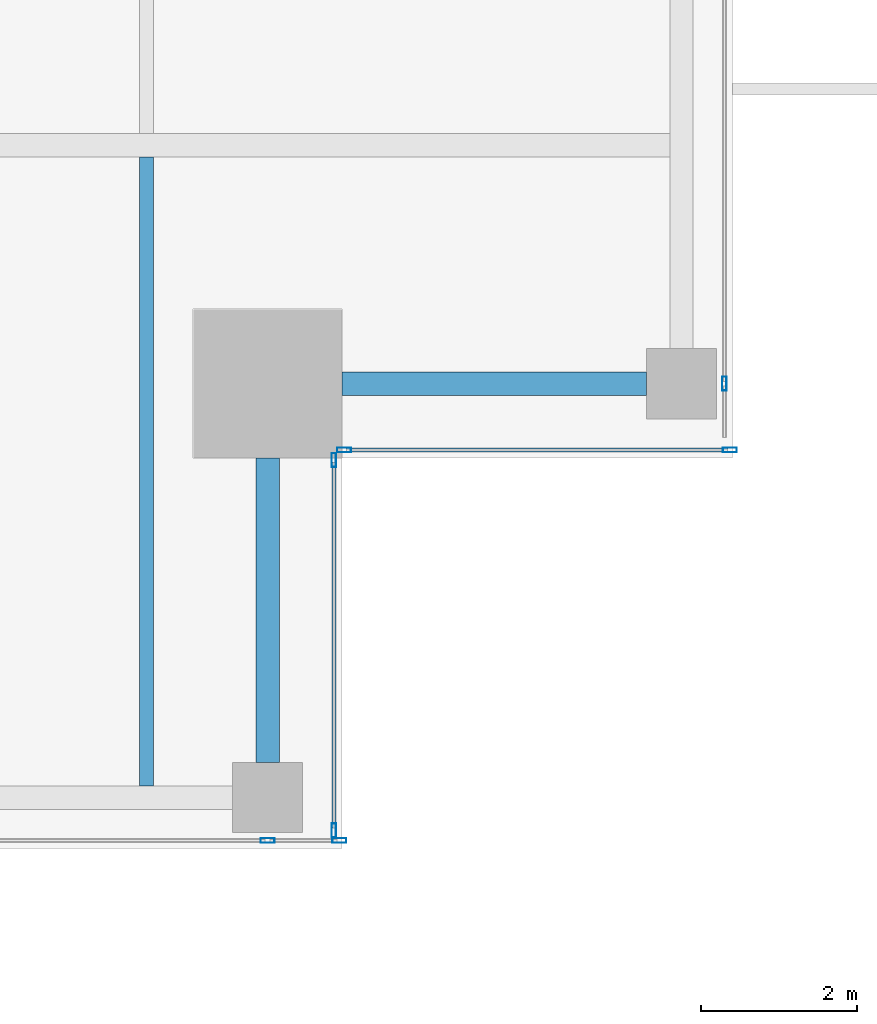
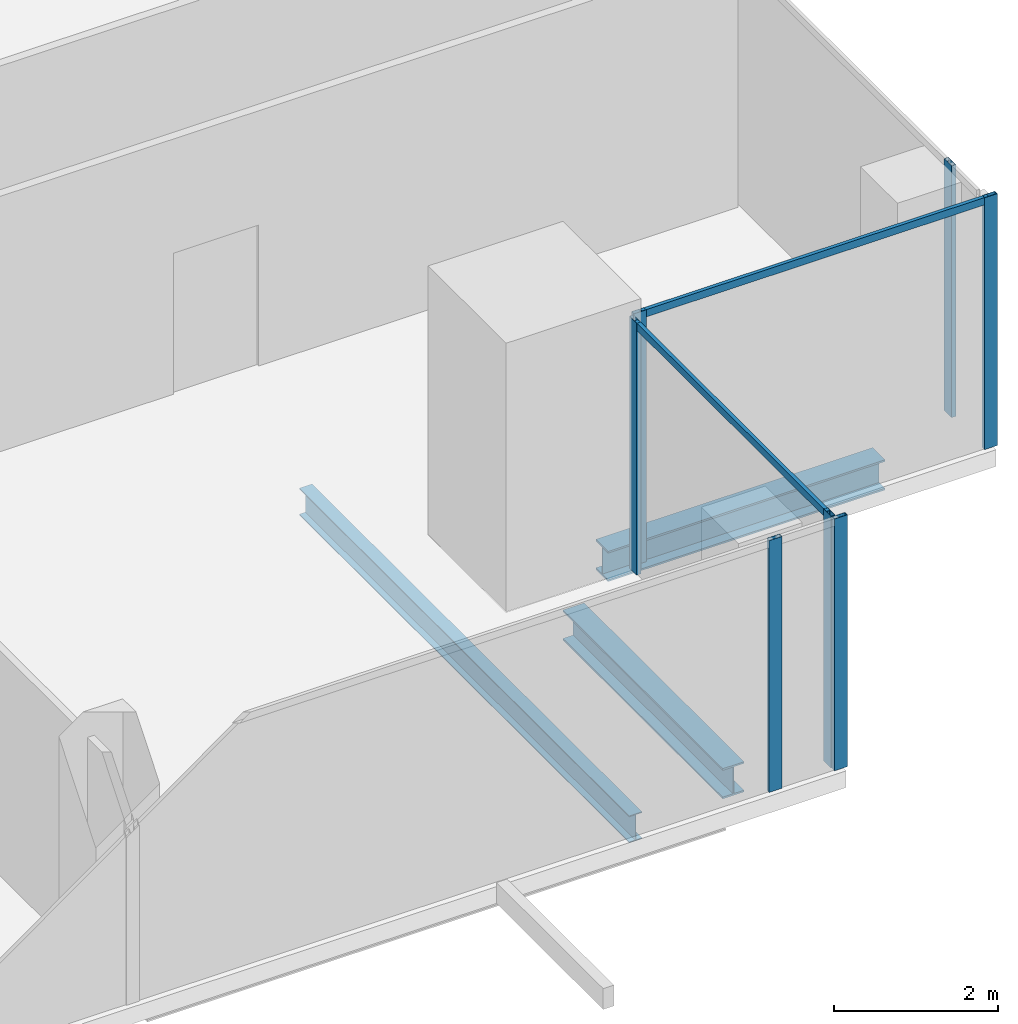
# One storey, part 9 of 34: 9 members, 3 beams, 4 elements without a shape of their own.
"""IFC4 building model written with IfcOpenShell, lengths in metres."""

from ifc_helpers import new_model, si_unit, direction, frame, origin, origin_2d, place, context, subcontext, project, spatial, hollow_rectangle, i_section, extrude, source, transform, mapped, material, material_profile, profile_set, type_object, element, aggregate, save


model = new_model("IFC4")

# Units and contexts
model_context = context("Model", 3, precision=1e-05, world=origin(), true_north=direction((0.0, 1.0)))
body_context = subcontext(model_context, "Body", "Model", "MODEL_VIEW")
ifc_project = project(units=[si_unit("LENGTHUNIT", "METRE"), si_unit("AREAUNIT", "SQUARE_METRE"), si_unit("VOLUMEUNIT", "CUBIC_METRE"), si_unit("PLANEANGLEUNIT", "RADIAN"), si_unit("MASSUNIT", "GRAM", prefix="KILO")], contexts=[model_context])

# Site, building, storey
site_placement = place(None, origin())
site = spatial("IfcSite", under=ifc_project, at=site_placement, CompositionType="ELEMENT")
building_placement = place(site_placement, origin())
building = spatial("IfcBuilding", under=site, at=building_placement, Name="Khomas Fold Tower", CompositionType="ELEMENT")
storey_placement = place(building_placement, frame((0.0, 0.0, 254.199951171875)))
storey = spatial("IfcBuildingStorey", under=building, at=storey_placement, Name="L57", CompositionType="ELEMENT", Elevation=254.199951171875)

# Beams
ifc_material_1 = material(Name="Steel S355", Category="steel")
ifc_material_profile_1 = material_profile(ifc_material_1, i_section(OverallWidth=0.300048828125, OverallDepth=0.449951171875, WebThickness=0.013916015625, FlangeThickness=0.02587890625, at=origin_2d()), Name="HE 450 B")
ifc_profile_set_1 = profile_set([ifc_material_profile_1], Name="Steel S355")
beam_type_1 = type_object("IfcBeamType", Name="HE 450 B spandrel SB4", PredefinedType="SPANDREL", material=ifc_profile_set_1)
shared_shape_1 = source(origin(), body_context, "Body", "SweptSolid", [
    extrude(i_section(OverallWidth=0.300048828125, OverallDepth=0.449951171875, WebThickness=0.013916015625, FlangeThickness=0.02587890625, at=origin_2d()), origin(), (0.0, 0.0, 1.0), 3.89990234375),
])
for number, where, z_axis, x_axis, name in (
    (1, (43.550048828125, 5.60009765625, -0.474853515625), (0.0, 1.0, 0.0), (-1.0, 0.0, 0.0), "SB4"),
    (2, (44.5, 10.449951171875, -0.474853515625), (1.0, 0.0, 0.0), (0.0, 1.0, 0.0), "SB4"),
):
    element("IfcBeam", number, at=place(storey_placement, frame(where, z_axis=z_axis, x_axis=x_axis)), inside=storey, type_object=beam_type_1, Name=name, PredefinedType="SPANDREL", context=body_context, shape_type="MappedRepresentation", body=[
        mapped(shared_shape_1, transform((0.0, 0.0, 0.0))),
    ])
ifc_material_2 = material(Name="Steel S355", Category="steel")
ifc_material_profile_2 = material_profile(ifc_material_2, i_section(OverallWidth=0.179931640625, OverallDepth=0.39990234375, WebThickness=0.008544921875, FlangeThickness=0.013427734375, at=origin_2d()), Name="IPE 400")
ifc_profile_set_2 = profile_set([ifc_material_profile_2], Name="Steel S355")
beam_type_2 = type_object("IfcBeamType", Name="IPE 400 beam JB3", PredefinedType="BEAM", material=ifc_profile_set_2)
shared_shape_2 = source(origin(), body_context, "Body", "SweptSolid", [
    extrude(i_section(OverallWidth=0.179931640625, OverallDepth=0.39990234375, WebThickness=0.008544921875, FlangeThickness=0.013427734375, at=origin_2d()), origin(), (0.0, 0.0, 1.0), 8.050048828125),
])
beam_placement = place(storey_placement, frame((42.0, 5.300048828125, -0.449951171875), z_axis=(0.0, 1.0, 0.0), x_axis=(-1.0, 0.0, 0.0)))
element("IfcBeam", 3, at=beam_placement, inside=storey, type_object=beam_type_2, Name="JB3", PredefinedType="BEAM", context=body_context, shape_type="MappedRepresentation", body=[
    mapped(shared_shape_2, transform((0.0, 0.0, 0.0))),
])

# Curtain wall, members
ifc_material_3 = material(Name="Aluminium framed double glazing", Category="aluminium")
curtain_wall_type = type_object("IfcCurtainWallType", Name="SK-Unitised clear-glass wall, office floors CW2", PredefinedType="NOTDEFINED", material=ifc_material_3)
curtain_wall_1_placement = place(storey_placement, origin())
curtain_wall_1 = element("IfcCurtainWall", 4, at=curtain_wall_1_placement, inside=storey, type_object=curtain_wall_type, Name="CW2 run L57 00-0", PredefinedType="NOTDEFINED")
ifc_material_4 = material(Name="Aluminium", Category="aluminium")
ifc_material_profile_3 = material_profile(ifc_material_4, hollow_rectangle(XDim=0.06005859375, YDim=0.179931640625, WallThickness=0.00390625, at=origin_2d()), Name="SK-Unitised clear-glass wall, office floors mullion CW2-M")
ifc_profile_set_3 = profile_set([ifc_material_profile_3], Name="Aluminium")
member_type_1 = type_object("IfcMemberType", Name="SK-Unitised clear-glass wall, office floors mullion CW2-M", PredefinedType="MULLION", material=ifc_profile_set_3)
shared_shape_3 = source(origin(), body_context, "Body", "SweptSolid", [
    extrude(hollow_rectangle(XDim=0.06005859375, YDim=0.179931640625, WallThickness=0.00390625, at=origin_2d()), origin(), (0.0, 0.0, 1.0), 3.75),
])
member_1_placement = place(storey_placement, frame((43.550048828125, 4.60009765625, 0.0), z_axis=(0.0, 0.0, 1.0), x_axis=(0.0, 1.0, 0.0)))
member_1 = element("IfcMember", 5, at=member_1_placement, type_object=member_type_1, Name="CW2 mullion 6", PredefinedType="MULLION", context=body_context, shape_type="MappedRepresentation", body=[
    mapped(shared_shape_3, transform((0.0, 0.0, 0.0))),
])
member_2_placement = place(storey_placement, frame((44.469970703125, 4.60009765625, 0.0), z_axis=(0.0, 0.0, 1.0), x_axis=(0.0, 1.0, 0.0)))
member_2 = element("IfcMember", 6, at=member_2_placement, type_object=member_type_1, Name="CW2 mullion 7", PredefinedType="MULLION", context=body_context, shape_type="MappedRepresentation", body=[
    mapped(shared_shape_3, transform((0.0, 0.0, 0.0))),
])
aggregate(curtain_wall_1, [member_1, member_2])

curtain_wall_2_placement = place(storey_placement, origin())
curtain_wall_2 = element("IfcCurtainWall", 7, at=curtain_wall_2_placement, inside=storey, type_object=curtain_wall_type, Name="CW2 corner return L57 01", PredefinedType="NOTDEFINED")
member_3_placement = place(storey_placement, frame((44.39990234375, 4.72998046875, 0.0), z_axis=(0.0, 0.0, 1.0), x_axis=(-1.0, 0.0, 0.0)))
member_3 = element("IfcMember", 8, at=member_3_placement, type_object=member_type_1, Name="CW2 mullion 1", PredefinedType="MULLION", context=body_context, shape_type="MappedRepresentation", body=[
    mapped(shared_shape_3, transform((0.0, 0.0, 0.0))),
])
member_4_placement = place(storey_placement, frame((44.39990234375, 9.469970703125, 0.0), z_axis=(0.0, 0.0, 1.0), x_axis=(-1.0, 0.0, 0.0)))
member_4 = element("IfcMember", 9, at=member_4_placement, type_object=member_type_1, Name="CW2 mullion 2", PredefinedType="MULLION", context=body_context, shape_type="MappedRepresentation", body=[
    mapped(shared_shape_3, transform((0.0, 0.0, 0.0))),
])

curtain_wall_3_placement = place(storey_placement, origin())
curtain_wall_3 = element("IfcCurtainWall", 10, at=curtain_wall_3_placement, inside=storey, type_object=curtain_wall_type, Name="CW2 corner return L57 02", PredefinedType="NOTDEFINED")
member_5_placement = place(storey_placement, frame((44.530029296875, 9.60009765625, 0.0), z_axis=(0.0, 0.0, 1.0), x_axis=(0.0, 1.0, 0.0)))
member_5 = element("IfcMember", 11, at=member_5_placement, type_object=member_type_1, Name="CW2 mullion 1", PredefinedType="MULLION", context=body_context, shape_type="MappedRepresentation", body=[
    mapped(shared_shape_3, transform((0.0, 0.0, 0.0))),
])
member_6_placement = place(storey_placement, frame((49.469970703125, 9.60009765625, 0.0), z_axis=(0.0, 0.0, 1.0), x_axis=(0.0, 1.0, 0.0)))
member_6 = element("IfcMember", 12, at=member_6_placement, type_object=member_type_1, Name="CW2 mullion 2", PredefinedType="MULLION", context=body_context, shape_type="MappedRepresentation", body=[
    mapped(shared_shape_3, transform((0.0, 0.0, 0.0))),
])

# Curtain wall, member
curtain_wall_4_placement = place(storey_placement, origin())
curtain_wall_4 = element("IfcCurtainWall", 13, at=curtain_wall_4_placement, inside=storey, type_object=curtain_wall_type, Name="CW2 run L57 03-0", PredefinedType="NOTDEFINED")
member_7_placement = place(storey_placement, frame((49.39990234375, 10.449951171875, 0.0), z_axis=(0.0, 0.0, 1.0), x_axis=(-1.0, 0.0, 0.0)))
member_7 = element("IfcMember", 14, at=member_7_placement, type_object=member_type_1, Name="CW2 mullion 2", PredefinedType="MULLION", context=body_context, shape_type="MappedRepresentation", body=[
    mapped(shared_shape_3, transform((0.0, 0.0, 0.0))),
])
aggregate(curtain_wall_4, [member_7])

# Member
ifc_material_5 = material(Name="Aluminium", Category="aluminium")
ifc_material_profile_4 = material_profile(ifc_material_5, hollow_rectangle(XDim=0.050048828125, YDim=0.110107421875, WallThickness=0.00390625, at=origin_2d()), Name="SK-Unitised clear-glass wall, office floors transom CW2-T")
ifc_profile_set_4 = profile_set([ifc_material_profile_4], Name="Aluminium")
member_type_2 = type_object("IfcMemberType", Name="SK-Unitised clear-glass wall, office floors transom CW2-T", PredefinedType="USERDEFINED", material=ifc_profile_set_4)
shared_shape_4 = source(origin(), body_context, "Body", "SweptSolid", [
    extrude(hollow_rectangle(XDim=0.050048828125, YDim=0.110107421875, WallThickness=0.00390625, at=origin_2d()), origin(), (0.0, 0.0, 1.0), 4.679931640625),
])
member_8_placement = place(storey_placement, frame((44.39990234375, 4.760009765625, 3.695068359375), z_axis=(0.0, 1.0, 0.0), x_axis=(-1.0, 0.0, 0.0)))
member_8 = element("IfcMember", 15, at=member_8_placement, type_object=member_type_2, Name="CW2 transom 1", ObjectType="TRANSOM", PredefinedType="USERDEFINED", context=body_context, shape_type="MappedRepresentation", body=[
    mapped(shared_shape_4, transform((0.0, 0.0, 0.0))),
])

aggregate(curtain_wall_2, [member_3, member_4, member_8])

shared_shape_5 = source(origin(), body_context, "Body", "SweptSolid", [
    extrude(hollow_rectangle(XDim=0.050048828125, YDim=0.110107421875, WallThickness=0.00390625, at=origin_2d()), origin(), (0.0, 0.0, 1.0), 4.8798828125),
])
member_9_placement = place(storey_placement, frame((44.56005859375, 9.60009765625, 3.695068359375), z_axis=(1.0, 0.0, 0.0), x_axis=(0.0, 1.0, 0.0)))
member_9 = element("IfcMember", 16, at=member_9_placement, type_object=member_type_2, Name="CW2 transom 1", ObjectType="TRANSOM", PredefinedType="USERDEFINED", context=body_context, shape_type="MappedRepresentation", body=[
    mapped(shared_shape_5, transform((0.0, 0.0, 0.0))),
])

aggregate(curtain_wall_3, [member_5, member_6, member_9])

save(model, "model.ifc")
